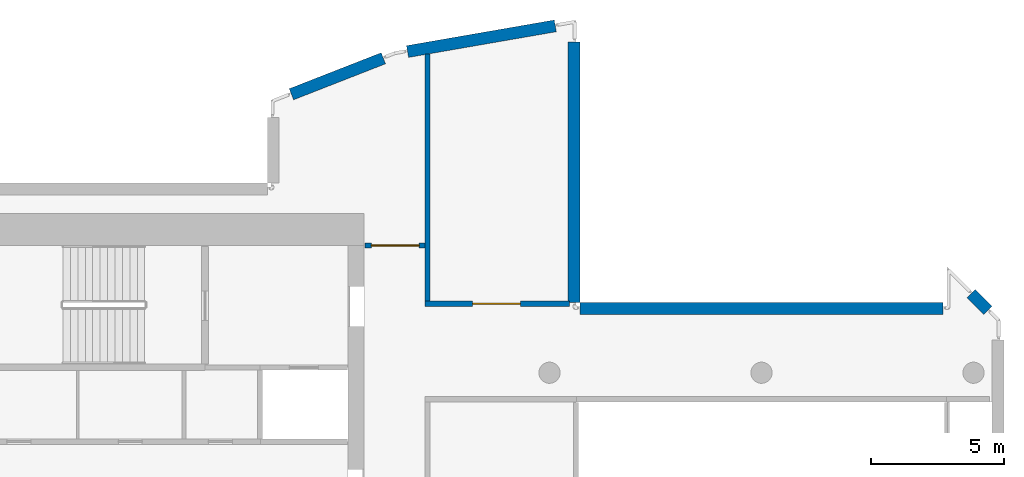
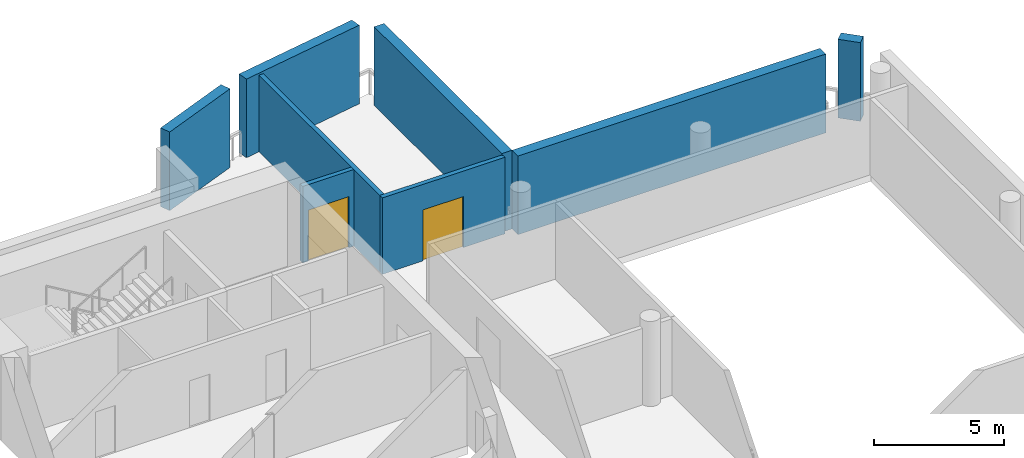
# One storey, part 3 of 8: 8 walls, 2 doors, 2 openings.
"""IFC4 building model written with IfcOpenShell, lengths in metres."""

import ifcopenshell
import ifcopenshell.guid

model = None  # the IFC model being written
_history = None  # IfcOwnerHistory: only IFC2X3 demands one
_inside = {}  # id of a spatial element -> (the spatial element, [elements in it])
_under = {}  # id of a project, library or spatial element -> (it, [spatial elements below it])
_declared = {}  # id of a project -> (the project, [libraries it declares])
_typed = {}  # id of a type object -> (the type object, [elements of that type])
_made_of = {}  # id of a material, layer set ... -> (it, [elements and type objects made of it])


def new_model(schema):
    """Start an empty IFC model of exactly this schema.

    Asked for "IFC4X3", IfcOpenShell would pick the latest addendum, in which some entities
    have other attributes; the version numbers below select the first issue.
    IFC2X3 requires an IfcOwnerHistory on every rooted entity: one is made here for all.
    """
    global model, _history
    if schema == "IFC4X3":
        model = ifcopenshell.file(schema_version=(4, 3, 0, 0))
    else:
        model = ifcopenshell.file(schema=schema)
    _inside.clear()
    _under.clear()
    _declared.clear()
    _typed.clear()
    _made_of.clear()
    _history = None
    if model.schema == "IFC2X3":
        org = make("IfcOrganization", Name="unknown")
        user = make(
            "IfcPersonAndOrganization",
            ThePerson=make("IfcPerson", FamilyName="unknown"),
            TheOrganization=org,
        )
        app = make(
            "IfcApplication",
            ApplicationDeveloper=org,
            Version="unknown",
            ApplicationFullName="unknown",
            ApplicationIdentifier="unknown",
        )
        _history = make(
            "IfcOwnerHistory",
            OwningUser=user,
            OwningApplication=app,
            ChangeAction="ADDED",
            CreationDate=0,
        )
    return model


def make(cls, **values):
    """One entity of the class cls with the attributes given. An attribute that is None is left unset."""
    return model.create_entity(
        cls, **{name: value for name, value in values.items() if value is not None}
    )


def rooted(cls, **values):
    """An entity with a GlobalId (a new one), such as an element, a storey or a relation."""
    return make(cls, GlobalId=ifcopenshell.guid.new(), OwnerHistory=_history, **values)


def si_unit(unit_type, name, prefix=None):
    """IfcSIUnit, for example si_unit("LENGTHUNIT", "METRE", prefix="MILLI")."""
    return make("IfcSIUnit", UnitType=unit_type, Prefix=prefix, Name=name)


def assignment(units):
    """IfcUnitAssignment: the units of a project."""
    return None if units is None else make("IfcUnitAssignment", Units=units)


def point(xyz):
    """IfcCartesianPoint."""
    return None if xyz is None else make("IfcCartesianPoint", Coordinates=xyz)


def direction(xyz):
    """IfcDirection."""
    return None if xyz is None else make("IfcDirection", DirectionRatios=xyz)


def frame(location, z_axis=None, x_axis=None):
    """IfcAxis2Placement3D, a coordinate frame: its origin and axes. An axis left out is left unset."""
    return make(
        "IfcAxis2Placement3D",
        Location=point(location),
        Axis=direction(z_axis),
        RefDirection=direction(x_axis),
    )


def frame_2d(location, x_axis=None):
    """IfcAxis2Placement2D, a coordinate frame in the plane: its origin and x axis."""
    return make(
        "IfcAxis2Placement2D", Location=point(location), RefDirection=direction(x_axis)
    )


def origin():
    """The frame at (0, 0, 0) with its axes left unset."""
    return frame((0.0, 0.0, 0.0))


def place(relative_to, where):
    """IfcLocalPlacement: puts the frame where relative to a parent placement (None: the world)."""
    return make(
        "IfcLocalPlacement", PlacementRelTo=relative_to, RelativePlacement=where
    )


def context(
    kind, dimensions, precision=None, world=None, true_north=None, identifier=None
):
    """IfcGeometricRepresentationContext, for example the 3D "Model" context."""
    return make(
        "IfcGeometricRepresentationContext",
        ContextIdentifier=identifier,
        ContextType=kind,
        CoordinateSpaceDimension=dimensions,
        Precision=precision,
        WorldCoordinateSystem=world,
        TrueNorth=true_north,
    )


def subcontext(parent, identifier, kind, view, scale=None):
    """IfcGeometricRepresentationSubContext, for example "Body" below "Model"."""
    return make(
        "IfcGeometricRepresentationSubContext",
        ContextIdentifier=identifier,
        ContextType=kind,
        ParentContext=parent,
        TargetScale=scale,
        TargetView=view,
    )


def project(units=None, contexts=None):
    """IfcProject with its units and contexts."""
    return rooted(
        "IfcProject",
        Name="project",
        RepresentationContexts=contexts,
        UnitsInContext=assignment(units),
    )


def spatial(cls, under=None, at=None, **own):
    """A site, building, storey or space (cls), placed at a placement, below another one or the project."""
    s = rooted(cls, ObjectPlacement=at, **own)
    if under is not None:
        _under.setdefault(under.id(), (under, []))[1].append(s)
    return s


def profile(cls, at=None, kind="AREA", **sizes):
    """A parametric profile (cls). Its sizes go by their IFC names, for example OverallWidth=200.0."""
    return make(cls, ProfileType=kind, Position=at, **sizes)


def rectangle(**sizes):
    """IfcRectangleProfileDef."""
    return profile("IfcRectangleProfileDef", **sizes)


def extrude(swept, where, along, depth):
    """IfcExtrudedAreaSolid: the profile swept, set in the frame where, extruded along a direction by depth."""
    return make(
        "IfcExtrudedAreaSolid",
        SweptArea=swept,
        Position=where,
        ExtrudedDirection=direction(along),
        Depth=depth,
    )


def shape(context_of_items, identifier, shape_type, items):
    """IfcShapeRepresentation: the items that make up one representation, for example the "Body"."""
    return make(
        "IfcShapeRepresentation",
        ContextOfItems=context_of_items,
        RepresentationIdentifier=identifier,
        RepresentationType=shape_type,
        Items=items,
    )


def material(Name=None, Category=None):
    """IfcMaterial."""
    return make("IfcMaterial", Name=Name, Category=Category)


def layer(
    of_material, thickness, ventilated=None, Name=None, Category=None, Priority=None
):
    """IfcMaterialLayer: one layer of a wall or slab, of a material (None: an air gap)."""
    return make(
        "IfcMaterialLayer",
        Material=of_material,
        LayerThickness=thickness,
        IsVentilated=ventilated,
        Name=Name,
        Category=Category,
        Priority=Priority,
    )


def layer_set(layers, Name=None):
    """IfcMaterialLayerSet."""
    return make("IfcMaterialLayerSet", MaterialLayers=layers, LayerSetName=Name)


def made_of(thing, what):
    """Note that an element or type object is made of a material, layer set ...; save() writes the relation."""
    if what is not None:
        _made_of.setdefault(what.id(), (what, []))[1].append(thing)
    return thing


def type_object(cls, material=None, **own):
    """A type object (cls), such as IfcWallType, which elements share."""
    return made_of(rooted(cls, **own), material)


def element(
    cls,
    number,
    at=None,
    inside=None,
    cuts=None,
    type_object=None,
    material=None,
    context=None,
    identifier="Body",
    shape_type=None,
    held_by="IfcProductDefinitionShape",
    body=None,
    shapes=None,
    **own,
):
    """One element of the class cls, such as IfcWall. Its Tag is "e" and its number.

    at: its placement. inside: the storey or other place that contains it. cuts: it is an
    opening in that element (IfcRelVoidsElement). A single representation is given by context,
    identifier, shape_type and body (its items); several are given by shapes. held_by: the class
    of the entity that holds the representations. save() writes the other relations.
    """
    e = rooted(cls, Tag="e%d" % number, ObjectPlacement=at, **own)
    if body is not None:
        shapes = [shape(context, identifier, shape_type, body)]
    if shapes is not None:
        e.Representation = make(held_by, Representations=shapes)
    if inside is not None:
        _inside.setdefault(inside.id(), (inside, []))[1].append(e)
    if cuts is not None:
        rooted(
            "IfcRelVoidsElement", RelatingBuildingElement=cuts, RelatedOpeningElement=e
        )
    if type_object is not None:
        _typed.setdefault(type_object.id(), (type_object, []))[1].append(e)
    return made_of(e, material)


def fill(opening, filler):
    """IfcRelFillsElement: the door or window that sits in an opening."""
    return rooted(
        "IfcRelFillsElement",
        RelatingOpeningElement=opening,
        RelatedBuildingElement=filler,
    )


def aggregate(whole, parts):
    """IfcRelAggregates: a whole, such as a stair, and the parts it consists of."""
    return rooted("IfcRelAggregates", RelatingObject=whole, RelatedObjects=parts)


def save(model, path):
    """Write the relations noted so far, then the file.

    IfcRelAggregates (storeys below a building ...), IfcRelContainedInSpatialStructure (elements
    in a storey), IfcRelDefinesByType, IfcRelAssociatesMaterial and IfcRelDeclares: one each for
    every whole, place, type object, material and project.
    """
    for whole, parts in _under.values():
        aggregate(whole, parts)
    for where, things in _inside.values():
        rooted(
            "IfcRelContainedInSpatialStructure",
            RelatedElements=things,
            RelatingStructure=where,
        )
    for kind, things in _typed.values():
        rooted("IfcRelDefinesByType", RelatedObjects=things, RelatingType=kind)
    for what, things in _made_of.values():
        rooted("IfcRelAssociatesMaterial", RelatedObjects=things, RelatingMaterial=what)
    for by, libraries in _declared.values():
        rooted("IfcRelDeclares", RelatingContext=by, RelatedDefinitions=libraries)
    model.write(path)


model = new_model("IFC4")

# Units and contexts
model_context = context("Model", 3, precision=1e-05, world=origin(), true_north=direction((0.0, 1.0)))
body_context = subcontext(model_context, "Body", "Model", "MODEL_VIEW")
ifc_project = project(units=[si_unit("LENGTHUNIT", "METRE"), si_unit("AREAUNIT", "SQUARE_METRE"), si_unit("VOLUMEUNIT", "CUBIC_METRE"), si_unit("PLANEANGLEUNIT", "RADIAN"), si_unit("MASSUNIT", "GRAM", prefix="KILO")], contexts=[model_context])

# Site, building, storey
site_placement = place(None, origin())
site = spatial("IfcSite", under=ifc_project, at=site_placement, CompositionType="ELEMENT")
building_placement = place(site_placement, origin())
building = spatial("IfcBuilding", under=site, at=building_placement, Name="Cypress Arch Tower", CompositionType="ELEMENT")
storey_placement = place(building_placement, frame((0.0, 0.0, 347.0)))
storey = spatial("IfcBuildingStorey", under=building, at=storey_placement, Name="L79", CompositionType="ELEMENT", Elevation=347.0)

# Walls
ifc_material_1 = material(Name="Brick (red buff blend)", Category="masonry")
ifc_layer_1 = layer(ifc_material_1, 0.449951171875)
ifc_layer_set_1 = layer_set([ifc_layer_1], Name="Brick belt wall BW450-B")
wall_type_1 = type_object("IfcWallType", Name="Brick belt wall BW450-B", PredefinedType="SOLIDWALL", material=ifc_layer_set_1)
wall_1_placement = place(storey_placement, frame((9.541015625, 12.35302734375, 0.0), z_axis=(0.0, 0.0, 1.0), x_axis=(-0.707106781187, 0.707106781187, 0.0)))
element("IfcWall", 1, at=wall_1_placement, inside=storey, type_object=wall_type_1, Name="Brick wall L79 K11.0", PredefinedType="SOLIDWALL", context=body_context, shape_type="SweptSolid", body=[
    extrude(rectangle(XDim=0.8935546875, YDim=0.449951171875, at=frame_2d((0.44677734375, 0.0))), origin(), (0.0, 0.0, 1.0), 3.699951171875),
])
wall_2_placement = place(storey_placement, frame((7.85009765625, 12.425048828125, 0.0), z_axis=(0.0, 0.0, 1.0), x_axis=(-1.0, 0.0, 0.0)))
element("IfcWall", 2, at=wall_2_placement, inside=storey, type_object=wall_type_1, Name="Brick wall L79 K13.0", PredefinedType="SOLIDWALL", context=body_context, shape_type="SweptSolid", body=[
    extrude(rectangle(XDim=13.7001953125, YDim=0.449951171875, at=frame_2d((6.85009765625, 0.0))), origin(), (0.0, 0.0, 1.0), 3.699951171875),
])
wall_3_placement = place(storey_placement, frame((-6.074951171875, 12.64990234375, 0.0), z_axis=(0.0, 0.0, 1.0), x_axis=(0.0, 1.0, 0.0)))
element("IfcWall", 3, at=wall_3_placement, inside=storey, type_object=wall_type_1, Name="Brick wall L79 K14.0", PredefinedType="SOLIDWALL", context=body_context, shape_type="SweptSolid", body=[
    extrude(rectangle(XDim=9.836669921875, YDim=0.449951171875, at=frame_2d((4.91845703125, 0.0))), origin(), (0.0, 0.0, 1.0), 3.699951171875),
])
wall_4_placement = place(storey_placement, frame((-6.781982421875, 23.088134765625, 0.0), z_axis=(0.0, 0.0, 1.0), x_axis=(-0.985240251318, -0.171177239091, 0.0)))
element("IfcWall", 4, at=wall_4_placement, inside=storey, type_object=wall_type_1, Name="Brick wall L79 K15.0", PredefinedType="SOLIDWALL", context=body_context, shape_type="SweptSolid", body=[
    extrude(rectangle(XDim=5.656494140625, YDim=0.449951171875, at=frame_2d((2.828125, 0.0))), origin(), (0.0, 0.0, 1.0), 3.699951171875),
])
wall_5_placement = place(storey_placement, frame((-13.269775390625, 21.865234375, 0.0), z_axis=(0.0, 0.0, 1.0), x_axis=(-0.931207968362, -0.364488298384, 0.0)))
element("IfcWall", 5, at=wall_5_placement, inside=storey, type_object=wall_type_1, Name="Brick wall L79 K16.0", PredefinedType="SOLIDWALL", context=body_context, shape_type="SweptSolid", body=[
    extrude(rectangle(XDim=3.7255859375, YDim=0.449951171875, at=frame_2d((1.86279296875, 0.0))), origin(), (0.0, 0.0, 1.0), 3.699951171875),
])

# Wall, opening, door
ifc_material_2 = material(Name="Reinforced blockwork, plastered, rated", Category="masonry")
ifc_layer_2 = layer(ifc_material_2, 0.199951171875)
ifc_layer_set_2 = layer_set([ifc_layer_2], Name="Plant and riser wall PL200")
wall_type_2 = type_object("IfcWallType", Name="Plant and riser wall PL200", PredefinedType="PARTITIONING", material=ifc_layer_set_2)
wall_6_placement = place(storey_placement, frame((-13.969970703125, 14.800048828125, 0.0), z_axis=(0.0, 0.0, 1.0), x_axis=(1.0, 0.0, 0.0)))
wall_6 = element("IfcWall", 6, at=wall_6_placement, inside=storey, type_object=wall_type_2, Name="Plant and riser wall", PredefinedType="PARTITIONING", context=body_context, shape_type="SweptSolid", body=[
    extrude(rectangle(XDim=2.27001953125, YDim=0.199951171875, at=frame_2d((1.135009765625, 0.0))), origin(), (0.0, 0.0, 1.0), 3.597900390625),
])
opening_1_placement = place(wall_6_placement, frame((0.25, 0.0, 0.0)))
opening_1 = element("IfcOpeningElement", 7, at=opening_1_placement, cuts=wall_6, Name="Opening D09", PredefinedType="OPENING", context=body_context, shape_type="SweptSolid", body=[
    extrude(rectangle(XDim=1.800048828125, YDim=2.39990234375, at=frame_2d((0.89990234375, 1.199951171875))), frame((0.0, 0.10986328125, 0.0), z_axis=(0.0, -1.0, 0.0), x_axis=(1.0, 0.0, 0.0)), (0.0, 0.0, 1.0), 0.219970703125),
])
ifc_material_3 = material(Name="Steel door, fire resisting", Category="steel")
door_type = type_object("IfcDoorType", Name="Plant room door D09 1800x2400", OperationType="DOUBLE_DOOR_SINGLE_SWING", PredefinedType="DOOR", material=ifc_material_3)
door_1_placement = place(opening_1_placement, origin())
door_1 = element("IfcDoor", 8, at=door_1_placement, inside=storey, type_object=door_type, Name="Plant room door", OperationType="DOUBLE_DOOR_SINGLE_SWING", OverallHeight=2.39990234375, OverallWidth=1.800048828125, PredefinedType="DOOR", context=body_context, shape_type="SweptSolid", body=[
    extrude(rectangle(XDim=1.800048828125, YDim=2.39990234375, at=frame_2d((0.89990234375, 1.199951171875))), frame((0.0, 0.02490234375, 0.0), z_axis=(0.0, -1.0, 0.0), x_axis=(1.0, 0.0, 0.0)), (0.0, 0.0, 1.0), 0.050048828125),
])
fill(opening_1, door_1)

# Wall
wall_7_placement = place(storey_placement, frame((-11.60009765625, 12.700927734375, 0.0), z_axis=(0.0, 0.0, 1.0), x_axis=(0.0, 1.0, 0.0)))
element("IfcWall", 9, at=wall_7_placement, inside=storey, type_object=wall_type_2, Name="Plant and riser wall", PredefinedType="PARTITIONING", context=body_context, shape_type="SweptSolid", body=[
    extrude(rectangle(XDim=9.32177734375, YDim=0.199951171875, at=frame_2d((4.660888671875, 0.0))), origin(), (0.0, 0.0, 1.0), 3.597900390625),
])

# Wall, opening, door
wall_8_placement = place(storey_placement, frame((-11.698974609375, 12.60009765625, 0.0), z_axis=(0.0, 0.0, 1.0), x_axis=(1.0, 0.0, 0.0)))
wall_8 = element("IfcWall", 10, at=wall_8_placement, inside=storey, type_object=wall_type_2, Name="Plant and riser wall", PredefinedType="PARTITIONING", context=body_context, shape_type="SweptSolid", body=[
    extrude(rectangle(XDim=5.453857421875, YDim=0.199951171875, at=frame_2d((2.72705078125, 0.0))), origin(), (0.0, 0.0, 1.0), 3.597900390625),
])
opening_2_placement = place(wall_8_placement, frame((1.800048828125, 0.0, 0.0)))
opening_2 = element("IfcOpeningElement", 11, at=opening_2_placement, cuts=wall_8, Name="Opening D09", PredefinedType="OPENING", context=body_context, shape_type="SweptSolid", body=[
    extrude(rectangle(XDim=1.800048828125, YDim=2.39990234375, at=frame_2d((0.89990234375, 1.199951171875))), frame((0.0, 0.10986328125, 0.0), z_axis=(0.0, -1.0, 0.0), x_axis=(1.0, 0.0, 0.0)), (0.0, 0.0, 1.0), 0.219970703125),
])
door_2_placement = place(opening_2_placement, origin())
door_2 = element("IfcDoor", 12, at=door_2_placement, inside=storey, type_object=door_type, Name="Plant room door", OperationType="DOUBLE_DOOR_SINGLE_SWING", OverallHeight=2.39990234375, OverallWidth=1.800048828125, PredefinedType="DOOR", context=body_context, shape_type="SweptSolid", body=[
    extrude(rectangle(XDim=1.800048828125, YDim=2.39990234375, at=frame_2d((0.89990234375, 1.199951171875))), frame((0.0, 0.02490234375, 0.0), z_axis=(0.0, -1.0, 0.0), x_axis=(1.0, 0.0, 0.0)), (0.0, 0.0, 1.0), 0.050048828125),
])
fill(opening_2, door_2)

save(model, "model.ifc")
